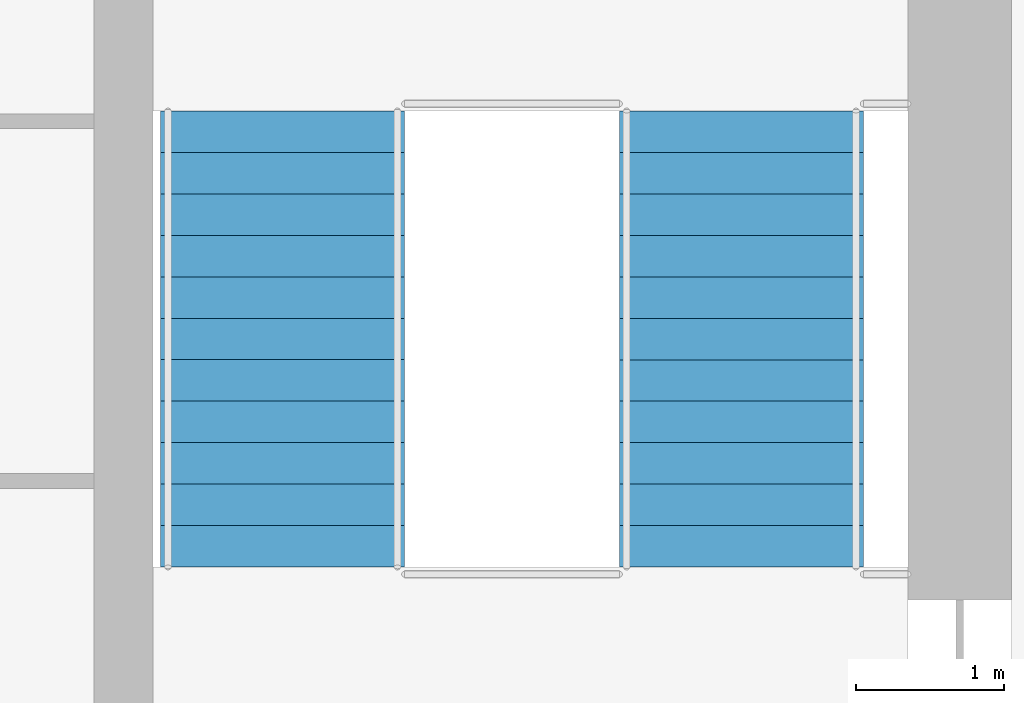
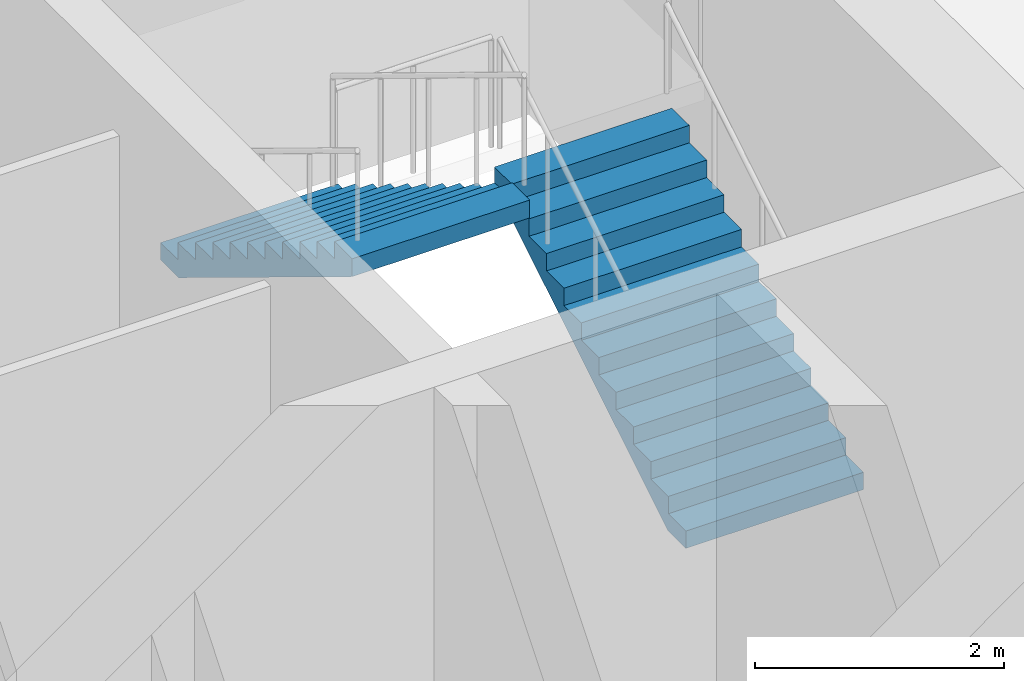
# One storey, part 8 of 16: 2 stair flights, 1 element without a shape of its own.
"""IFC4 building model written with IfcOpenShell, lengths in metres."""

from ifc_helpers import new_model, si_unit, direction, frame, origin, place, context, subcontext, project, spatial, polyline, outline, extrude, material, type_object, element, aggregate, save


model = new_model("IFC4")

# Units and contexts
model_context = context("Model", 3, precision=1e-05, world=origin(), true_north=direction((0.0, 1.0)))
body_context = subcontext(model_context, "Body", "Model", "MODEL_VIEW")
ifc_project = project(units=[si_unit("LENGTHUNIT", "METRE"), si_unit("AREAUNIT", "SQUARE_METRE"), si_unit("VOLUMEUNIT", "CUBIC_METRE"), si_unit("PLANEANGLEUNIT", "RADIAN"), si_unit("MASSUNIT", "GRAM", prefix="KILO")], contexts=[model_context])

# Site, building, storey
site_placement = place(None, origin())
site = spatial("IfcSite", under=ifc_project, at=site_placement, CompositionType="ELEMENT")
building_placement = place(site_placement, origin())
building = spatial("IfcBuilding", under=site, at=building_placement, Name="Corbel Stack Research Tower", CompositionType="ELEMENT")
storey_placement = place(building_placement, frame((0.0, 0.0, 290.89990234375)))
storey = spatial("IfcBuildingStorey", under=building, at=storey_placement, Name="L66", CompositionType="ELEMENT", Elevation=290.89990234375)

# Stair, stair flights
ifc_material_1 = material(Name="Concrete C40/50", Category="concrete")
stair_type = type_object("IfcStairType", Name="Exit stair 24 risers", PredefinedType="HALF_TURN_STAIR", material=ifc_material_1)
stair_placement = place(storey_placement, origin())
stair = element("IfcStair", 1, at=stair_placement, inside=storey, type_object=stair_type, Name="L66 Exit stair ST-E2", PredefinedType="HALF_TURN_STAIR")
ifc_material_2 = material(Name="Concrete C40/50", Category="concrete")
stair_flight_type = type_object("IfcStairFlightType", Name="Stair flight 12 risers", PredefinedType="STRAIGHT", material=ifc_material_2)
stair_flight_1_placement = place(storey_placement, frame((16.175048828125, 11.89990234375, 0.0), z_axis=(0.0, 0.0, 1.0), x_axis=(0.0, 1.0, 0.0)))
stair_flight_1 = element("IfcStairFlight", 2, at=stair_flight_1_placement, type_object=stair_flight_type, Name="ST-E2 flight 1", NumberOfRisers=12, NumberOfTreads=11, PredefinedType="STRAIGHT", RiserHeight=0.170833333, TreadLength=0.28, context=body_context, shape_type="SweptSolid", body=[
    extrude(outline(polyline([(0.0, 0.0), (0.0, 0.1708984375), (0.280029296875, 0.1708984375), (0.280029296875, 0.341552734375), (0.56005859375, 0.341552734375), (0.56005859375, 0.512451171875), (0.840087890625, 0.512451171875), (0.840087890625, 0.683349609375), (1.1201171875, 0.683349609375), (1.1201171875, 0.854248046875), (1.39990234375, 0.854248046875), (1.39990234375, 1.02490234375), (1.679931640625, 1.02490234375), (1.679931640625, 1.19580078125), (1.9599609375, 1.19580078125), (1.9599609375, 1.36669921875), (2.239990234375, 1.36669921875), (2.239990234375, 1.53759765625), (2.52001953125, 1.53759765625), (2.52001953125, 1.708251953125), (2.800048828125, 1.708251953125), (2.800048828125, 1.879150390625), (3.080078125, 1.879150390625), (3.080078125, 2.050048828125), (3.080078125, 1.70361328125), (0.287841796875, 0.0), (0.0, 0.0)])), frame((0.0, 0.824951171875, 0.0), z_axis=(0.0, -1.0, 0.0), x_axis=(1.0, 0.0, 0.0)), (0.0, 0.0, 1.0), 1.64990234375),
])
stair_flight_2_placement = place(storey_placement, frame((13.074951171875, 14.97998046875, 2.050048828125), z_axis=(0.0, 0.0, 1.0), x_axis=(0.0, -1.0, 0.0)))
stair_flight_2 = element("IfcStairFlight", 3, at=stair_flight_2_placement, type_object=stair_flight_type, Name="ST-E2 flight 2", NumberOfRisers=12, NumberOfTreads=11, PredefinedType="STRAIGHT", RiserHeight=0.170833333, TreadLength=0.28, context=body_context, shape_type="SweptSolid", body=[
    extrude(outline(polyline([(0.0, 0.0), (0.0, 0.1708984375), (0.280029296875, 0.1708984375), (0.280029296875, 0.341552734375), (0.56005859375, 0.341552734375), (0.56005859375, 0.512451171875), (0.840087890625, 0.512451171875), (0.840087890625, 0.683349609375), (1.1201171875, 0.683349609375), (1.1201171875, 0.854248046875), (1.39990234375, 0.854248046875), (1.39990234375, 1.02490234375), (1.679931640625, 1.02490234375), (1.679931640625, 1.19580078125), (1.9599609375, 1.19580078125), (1.9599609375, 1.36669921875), (2.239990234375, 1.36669921875), (2.239990234375, 1.53759765625), (2.52001953125, 1.53759765625), (2.52001953125, 1.708251953125), (2.800048828125, 1.708251953125), (2.800048828125, 1.879150390625), (3.080078125, 1.879150390625), (3.080078125, 2.050048828125), (3.080078125, 1.70361328125), (0.287841796875, 0.0), (0.0, 0.0)])), frame((0.0, 0.824951171875, 0.0), z_axis=(0.0, -1.0, 0.0), x_axis=(1.0, 0.0, 0.0)), (0.0, 0.0, 1.0), 1.64990234375),
])
aggregate(stair, [stair_flight_1, stair_flight_2])

save(model, "model.ifc")
